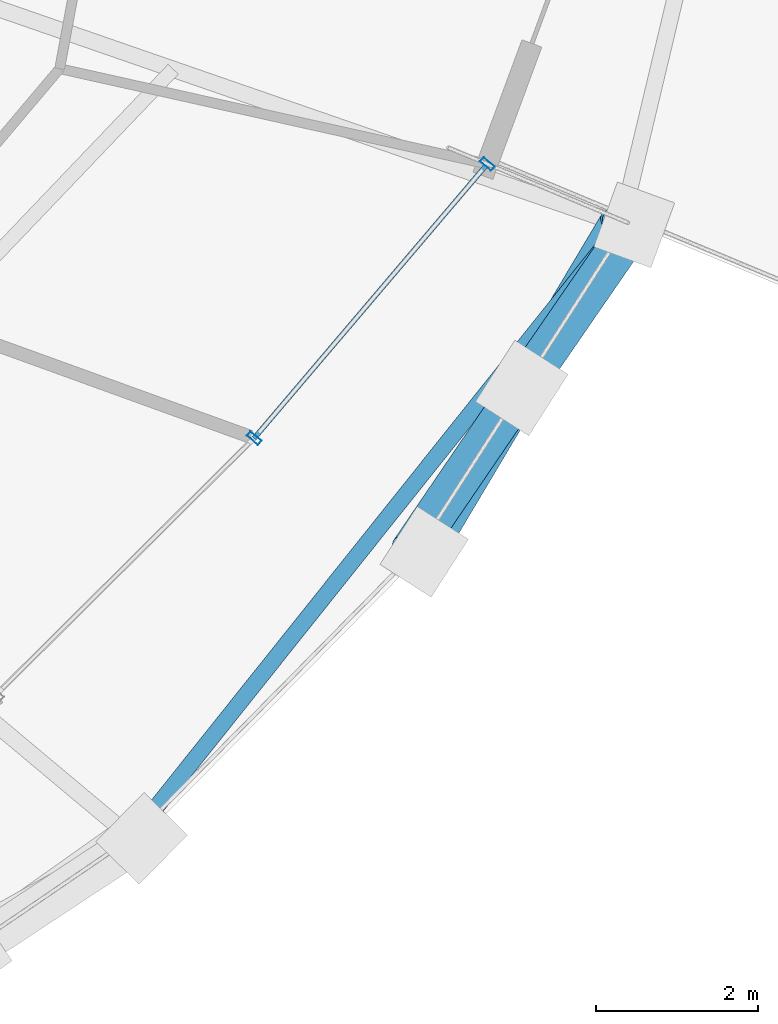
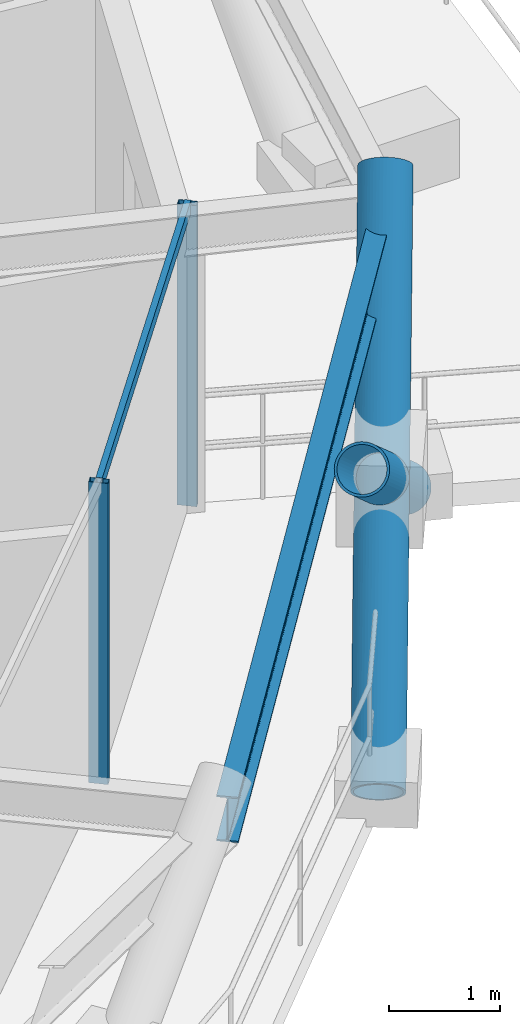
# One storey, part 7 of 16: 6 members, 1 beam, 1 element without a shape of its own.
"""IFC4 building model written with IfcOpenShell, lengths in metres."""

import ifcopenshell
import ifcopenshell.guid

model = None  # the IFC model being written
_history = None  # IfcOwnerHistory: only IFC2X3 demands one
_inside = {}  # id of a spatial element -> (the spatial element, [elements in it])
_under = {}  # id of a project, library or spatial element -> (it, [spatial elements below it])
_declared = {}  # id of a project -> (the project, [libraries it declares])
_typed = {}  # id of a type object -> (the type object, [elements of that type])
_made_of = {}  # id of a material, layer set ... -> (it, [elements and type objects made of it])


def new_model(schema):
    """Start an empty IFC model of exactly this schema.

    Asked for "IFC4X3", IfcOpenShell would pick the latest addendum, in which some entities
    have other attributes; the version numbers below select the first issue.
    IFC2X3 requires an IfcOwnerHistory on every rooted entity: one is made here for all.
    """
    global model, _history
    if schema == "IFC4X3":
        model = ifcopenshell.file(schema_version=(4, 3, 0, 0))
    else:
        model = ifcopenshell.file(schema=schema)
    _inside.clear()
    _under.clear()
    _declared.clear()
    _typed.clear()
    _made_of.clear()
    _history = None
    if model.schema == "IFC2X3":
        org = make("IfcOrganization", Name="unknown")
        user = make(
            "IfcPersonAndOrganization",
            ThePerson=make("IfcPerson", FamilyName="unknown"),
            TheOrganization=org,
        )
        app = make(
            "IfcApplication",
            ApplicationDeveloper=org,
            Version="unknown",
            ApplicationFullName="unknown",
            ApplicationIdentifier="unknown",
        )
        _history = make(
            "IfcOwnerHistory",
            OwningUser=user,
            OwningApplication=app,
            ChangeAction="ADDED",
            CreationDate=0,
        )
    return model


def make(cls, **values):
    """One entity of the class cls with the attributes given. An attribute that is None is left unset."""
    return model.create_entity(
        cls, **{name: value for name, value in values.items() if value is not None}
    )


def rooted(cls, **values):
    """An entity with a GlobalId (a new one), such as an element, a storey or a relation."""
    return make(cls, GlobalId=ifcopenshell.guid.new(), OwnerHistory=_history, **values)


def si_unit(unit_type, name, prefix=None):
    """IfcSIUnit, for example si_unit("LENGTHUNIT", "METRE", prefix="MILLI")."""
    return make("IfcSIUnit", UnitType=unit_type, Prefix=prefix, Name=name)


def assignment(units):
    """IfcUnitAssignment: the units of a project."""
    return None if units is None else make("IfcUnitAssignment", Units=units)


def point(xyz):
    """IfcCartesianPoint."""
    return None if xyz is None else make("IfcCartesianPoint", Coordinates=xyz)


def direction(xyz):
    """IfcDirection."""
    return None if xyz is None else make("IfcDirection", DirectionRatios=xyz)


def frame(location, z_axis=None, x_axis=None):
    """IfcAxis2Placement3D, a coordinate frame: its origin and axes. An axis left out is left unset."""
    return make(
        "IfcAxis2Placement3D",
        Location=point(location),
        Axis=direction(z_axis),
        RefDirection=direction(x_axis),
    )


def frame_2d(location, x_axis=None):
    """IfcAxis2Placement2D, a coordinate frame in the plane: its origin and x axis."""
    return make(
        "IfcAxis2Placement2D", Location=point(location), RefDirection=direction(x_axis)
    )


def origin():
    """The frame at (0, 0, 0) with its axes left unset."""
    return frame((0.0, 0.0, 0.0))


def origin_2d():
    """The frame at (0, 0) in the plane with its x axis left unset."""
    return frame_2d((0.0, 0.0))


def place(relative_to, where):
    """IfcLocalPlacement: puts the frame where relative to a parent placement (None: the world)."""
    return make(
        "IfcLocalPlacement", PlacementRelTo=relative_to, RelativePlacement=where
    )


def context(
    kind, dimensions, precision=None, world=None, true_north=None, identifier=None
):
    """IfcGeometricRepresentationContext, for example the 3D "Model" context."""
    return make(
        "IfcGeometricRepresentationContext",
        ContextIdentifier=identifier,
        ContextType=kind,
        CoordinateSpaceDimension=dimensions,
        Precision=precision,
        WorldCoordinateSystem=world,
        TrueNorth=true_north,
    )


def subcontext(parent, identifier, kind, view, scale=None):
    """IfcGeometricRepresentationSubContext, for example "Body" below "Model"."""
    return make(
        "IfcGeometricRepresentationSubContext",
        ContextIdentifier=identifier,
        ContextType=kind,
        ParentContext=parent,
        TargetScale=scale,
        TargetView=view,
    )


def project(units=None, contexts=None):
    """IfcProject with its units and contexts."""
    return rooted(
        "IfcProject",
        Name="project",
        RepresentationContexts=contexts,
        UnitsInContext=assignment(units),
    )


def spatial(cls, under=None, at=None, **own):
    """A site, building, storey or space (cls), placed at a placement, below another one or the project."""
    s = rooted(cls, ObjectPlacement=at, **own)
    if under is not None:
        _under.setdefault(under.id(), (under, []))[1].append(s)
    return s


def profile(cls, at=None, kind="AREA", **sizes):
    """A parametric profile (cls). Its sizes go by their IFC names, for example OverallWidth=200.0."""
    return make(cls, ProfileType=kind, Position=at, **sizes)


def hollow_rectangle(**sizes):
    """IfcRectangleHollowProfileDef."""
    return profile("IfcRectangleHollowProfileDef", **sizes)


def hollow_circle(**sizes):
    """IfcCircleHollowProfileDef."""
    return profile("IfcCircleHollowProfileDef", **sizes)


def i_section(**sizes):
    """IfcIShapeProfileDef."""
    return profile("IfcIShapeProfileDef", **sizes)


def extrude(swept, where, along, depth):
    """IfcExtrudedAreaSolid: the profile swept, set in the frame where, extruded along a direction by depth."""
    return make(
        "IfcExtrudedAreaSolid",
        SweptArea=swept,
        Position=where,
        ExtrudedDirection=direction(along),
        Depth=depth,
    )


def shape(context_of_items, identifier, shape_type, items):
    """IfcShapeRepresentation: the items that make up one representation, for example the "Body"."""
    return make(
        "IfcShapeRepresentation",
        ContextOfItems=context_of_items,
        RepresentationIdentifier=identifier,
        RepresentationType=shape_type,
        Items=items,
    )


def material(Name=None, Category=None):
    """IfcMaterial."""
    return make("IfcMaterial", Name=Name, Category=Category)


def layer(
    of_material, thickness, ventilated=None, Name=None, Category=None, Priority=None
):
    """IfcMaterialLayer: one layer of a wall or slab, of a material (None: an air gap)."""
    return make(
        "IfcMaterialLayer",
        Material=of_material,
        LayerThickness=thickness,
        IsVentilated=ventilated,
        Name=Name,
        Category=Category,
        Priority=Priority,
    )


def layer_set(layers, Name=None):
    """IfcMaterialLayerSet."""
    return make("IfcMaterialLayerSet", MaterialLayers=layers, LayerSetName=Name)


def material_profile(
    of_material, cross_section, Name=None, Category=None, Priority=None
):
    """IfcMaterialProfile: a cross section and its material."""
    return make(
        "IfcMaterialProfile",
        Name=Name,
        Material=of_material,
        Profile=cross_section,
        Priority=Priority,
        Category=Category,
    )


def profile_set(profiles, Name=None, composite=None):
    """IfcMaterialProfileSet."""
    return make(
        "IfcMaterialProfileSet",
        Name=Name,
        MaterialProfiles=profiles,
        CompositeProfile=composite,
    )


def made_of(thing, what):
    """Note that an element or type object is made of a material, layer set ...; save() writes the relation."""
    if what is not None:
        _made_of.setdefault(what.id(), (what, []))[1].append(thing)
    return thing


def type_object(cls, material=None, **own):
    """A type object (cls), such as IfcWallType, which elements share."""
    return made_of(rooted(cls, **own), material)


def element(
    cls,
    number,
    at=None,
    inside=None,
    cuts=None,
    type_object=None,
    material=None,
    context=None,
    identifier="Body",
    shape_type=None,
    held_by="IfcProductDefinitionShape",
    body=None,
    shapes=None,
    **own,
):
    """One element of the class cls, such as IfcWall. Its Tag is "e" and its number.

    at: its placement. inside: the storey or other place that contains it. cuts: it is an
    opening in that element (IfcRelVoidsElement). A single representation is given by context,
    identifier, shape_type and body (its items); several are given by shapes. held_by: the class
    of the entity that holds the representations. save() writes the other relations.
    """
    e = rooted(cls, Tag="e%d" % number, ObjectPlacement=at, **own)
    if body is not None:
        shapes = [shape(context, identifier, shape_type, body)]
    if shapes is not None:
        e.Representation = make(held_by, Representations=shapes)
    if inside is not None:
        _inside.setdefault(inside.id(), (inside, []))[1].append(e)
    if cuts is not None:
        rooted(
            "IfcRelVoidsElement", RelatingBuildingElement=cuts, RelatedOpeningElement=e
        )
    if type_object is not None:
        _typed.setdefault(type_object.id(), (type_object, []))[1].append(e)
    return made_of(e, material)


def aggregate(whole, parts):
    """IfcRelAggregates: a whole, such as a stair, and the parts it consists of."""
    return rooted("IfcRelAggregates", RelatingObject=whole, RelatedObjects=parts)


def save(model, path):
    """Write the relations noted so far, then the file.

    IfcRelAggregates (storeys below a building ...), IfcRelContainedInSpatialStructure (elements
    in a storey), IfcRelDefinesByType, IfcRelAssociatesMaterial and IfcRelDeclares: one each for
    every whole, place, type object, material and project.
    """
    for whole, parts in _under.values():
        aggregate(whole, parts)
    for where, things in _inside.values():
        rooted(
            "IfcRelContainedInSpatialStructure",
            RelatedElements=things,
            RelatingStructure=where,
        )
    for kind, things in _typed.values():
        rooted("IfcRelDefinesByType", RelatedObjects=things, RelatingType=kind)
    for what, things in _made_of.values():
        rooted("IfcRelAssociatesMaterial", RelatedObjects=things, RelatingMaterial=what)
    for by, libraries in _declared.values():
        rooted("IfcRelDeclares", RelatingContext=by, RelatedDefinitions=libraries)
    model.write(path)


model = new_model("IFC4")

# Units and contexts
model_context = context("Model", 3, precision=1e-05, world=origin(), true_north=direction((0.0, 1.0)))
body_context = subcontext(model_context, "Body", "Model", "MODEL_VIEW")
ifc_project = project(units=[si_unit("LENGTHUNIT", "METRE"), si_unit("AREAUNIT", "SQUARE_METRE"), si_unit("VOLUMEUNIT", "CUBIC_METRE"), si_unit("PLANEANGLEUNIT", "RADIAN"), si_unit("MASSUNIT", "GRAM", prefix="KILO")], contexts=[model_context])

# Site, building, storey
site_placement = place(None, origin())
site = spatial("IfcSite", under=ifc_project, at=site_placement, CompositionType="ELEMENT")
building_placement = place(site_placement, origin())
building = spatial("IfcBuilding", under=site, at=building_placement, Name="Veldorina Hangang Commons", CompositionType="ELEMENT")
storey_placement = place(building_placement, frame((0.0, 0.0, 174.800048828125)))
storey = spatial("IfcBuildingStorey", under=building, at=storey_placement, Name="L45", CompositionType="ELEMENT", Elevation=174.800048828125)

# Beam
ifc_material_1 = material(Name="Steel SM420-TMC", Category="steel")
ifc_material_profile_1 = material_profile(ifc_material_1, i_section(OverallWidth=0.199951171875, OverallDepth=0.5, WebThickness=0.010009765625, FlangeThickness=0.01611328125, FilletRadius=0.01611328125, at=origin_2d()), Name="H-500x200x10x16")
ifc_profile_set_1 = profile_set([ifc_material_profile_1], Name="Steel SM420-TMC")
beam_type = type_object("IfcBeamType", Name="BM-RB500", PredefinedType="BEAM", material=ifc_profile_set_1)
beam_placement = place(storey_placement, frame((51.677001953125, 7.53173828125, 3.099853515625), z_axis=(0.623903289365, 0.781501558233, 0.0), x_axis=(-0.781501558233, 0.623903289365, 0.0)))
element("IfcBeam", 1, at=beam_placement, inside=storey, type_object=beam_type, Name="L45 perimeter hoop ring beam 28", PredefinedType="BEAM", context=body_context, shape_type="SweptSolid", body=[
    extrude(i_section(OverallWidth=0.199951171875, OverallDepth=0.5, WebThickness=0.010009765625, FlangeThickness=0.01611328125, FilletRadius=0.01611328125, at=origin_2d()), origin(), (0.0, 0.0, 1.0), 9.668212890625),
])

# Curtain wall, members
ifc_material_2 = material(Name="Glass Low-E Triple IGU", Category="glass")
ifc_layer = layer(ifc_material_2, 0.179931640625)
ifc_layer_set = layer_set([ifc_layer], Name="Glass Low-E Triple IGU")
curtain_wall_type = type_object("IfcCurtainWallType", Name="CW-SYS-Z2", PredefinedType="NOTDEFINED", material=ifc_layer_set)
curtain_wall_placement = place(storey_placement, origin())
curtain_wall = element("IfcCurtainWall", 2, at=curtain_wall_placement, inside=storey, type_object=curtain_wall_type, Name="L45 unitised curtain wall CW-L45-R2", PredefinedType="NOTDEFINED")
ifc_material_3 = material(Name="Aluminium Anodized AA6063-T6", Category="aluminium")
ifc_material_profile_2 = material_profile(ifc_material_3, hollow_rectangle(XDim=0.070068359375, YDim=0.179931640625, WallThickness=0.00390625, at=origin_2d()), Name="ALU-RHS-180x70x4")
ifc_profile_set_2 = profile_set([ifc_material_profile_2], Name="Aluminium Anodized AA6063-T6")
member_type_1 = type_object("IfcMemberType", Name="CW-MUL-180", PredefinedType="MULLION", material=ifc_profile_set_2)
member_1_placement = place(storey_placement, frame((53.185791015625, 12.455322265625, 0.0), z_axis=(0.0, 0.0, 1.0), x_axis=(0.647721071713, 0.761877557918, 0.0)))
member_1 = element("IfcMember", 3, at=member_1_placement, type_object=member_type_1, Name="CW-L45-R2 vertical mullion 2", PredefinedType="MULLION", context=body_context, shape_type="SweptSolid", body=[
    extrude(hollow_rectangle(XDim=0.070068359375, YDim=0.179931640625, WallThickness=0.00390625, at=origin_2d()), origin(), (0.0, 0.0, 1.0), 3.31005859375),
])
member_2_placement = place(storey_placement, frame((56.057861328125, 15.83349609375, 0.0), z_axis=(0.0, 0.0, 1.0), x_axis=(-0.647721071713, -0.761877557918, 0.0)))
member_2 = element("IfcMember", 4, at=member_2_placement, type_object=member_type_1, Name="CW-L45-R2 vertical mullion 3", PredefinedType="MULLION", context=body_context, shape_type="SweptSolid", body=[
    extrude(hollow_rectangle(XDim=0.070068359375, YDim=0.179931640625, WallThickness=0.00390625, at=origin_2d()), origin(), (0.0, 0.0, 1.0), 3.31005859375),
])
ifc_material_profile_3 = material_profile(ifc_material_3, hollow_rectangle(XDim=0.06005859375, YDim=0.139892578125, WallThickness=0.00341796875, at=origin_2d()), Name="ALU-RHS-140x60x3.5")
ifc_profile_set_3 = profile_set([ifc_material_profile_3], Name="Aluminium Anodized AA6063-T6")
member_type_2 = type_object("IfcMemberType", Name="CW-TRN-140", PredefinedType="USERDEFINED", material=ifc_profile_set_3)
member_3_placement = place(storey_placement, frame((53.185791015625, 12.455322265625, 3.27001953125), z_axis=(0.64772992808, 0.761870028463, 0.0), x_axis=(-0.761870028463, 0.64772992808, 0.0)))
member_3 = element("IfcMember", 5, at=member_3_placement, type_object=member_type_2, Name="CW-L45-R2 facet 2 transom 1", ObjectType="TRANSOM", PredefinedType="USERDEFINED", context=body_context, shape_type="SweptSolid", body=[
    extrude(hollow_rectangle(XDim=0.06005859375, YDim=0.139892578125, WallThickness=0.00341796875, at=origin_2d()), origin(), (0.0, 0.0, 1.0), 4.43408203125),
])
aggregate(curtain_wall, [member_1, member_2, member_3])

# Members
ifc_material_profile_4 = material_profile(ifc_material_1, hollow_circle(Radius=0.25, WallThickness=0.02490234375, at=origin_2d()), Name="CHS-500x25")
ifc_profile_set_4 = profile_set([ifc_material_profile_4], Name="Steel SM420-TMC")
member_type_3 = type_object("IfcMemberType", Name="DG-CHS500", PredefinedType="BRACE", material=ifc_profile_set_4)
member_4_placement = place(storey_placement, frame((55.281005859375, 11.05517578125, 0.0), z_axis=(0.406099454361, 0.681743586035, 0.608530127495), x_axis=(-0.859126843306, 0.511762705862, 0.0)))
element("IfcMember", 6, at=member_4_placement, inside=storey, type_object=member_type_3, Name="L45 continuous perimeter diagrid brace 29", PredefinedType="BRACE", context=body_context, shape_type="SweptSolid", body=[
    extrude(hollow_circle(Radius=0.25, WallThickness=0.02490234375, at=origin_2d()), origin(), (0.0, 0.0, 1.0), 5.915771484375),
])
member_5_placement = place(storey_placement, frame((57.86865234375, 15.08349609375, 0.0), z_axis=(-0.456536410041, -0.662311767078, 0.594068707724), x_axis=(0.823346582472, -0.567538901867, 0.0)))
element("IfcMember", 7, at=member_5_placement, inside=storey, type_object=member_type_3, Name="L45 split perimeter diagrid lower brace 30", PredefinedType="BRACE", context=body_context, shape_type="SweptSolid", body=[
    extrude(hollow_circle(Radius=0.25, WallThickness=0.02490234375, at=origin_2d()), origin(), (0.0, 0.0, 1.0), 3.03369140625),
])
member_6_placement = place(storey_placement, frame((56.483642578125, 13.07421875, 1.80224609375), z_axis=(-0.452502396725, -0.665036511021, 0.594111117526), x_axis=(0.826766014169, -0.562545960624, 0.0)))
element("IfcMember", 8, at=member_6_placement, inside=storey, type_object=member_type_3, Name="L45 split perimeter diagrid upper brace 30", PredefinedType="BRACE", context=body_context, shape_type="SweptSolid", body=[
    extrude(hollow_circle(Radius=0.25, WallThickness=0.02490234375, at=origin_2d()), origin(), (0.0, 0.0, 1.0), 3.025634765625),
])

save(model, "model.ifc")
